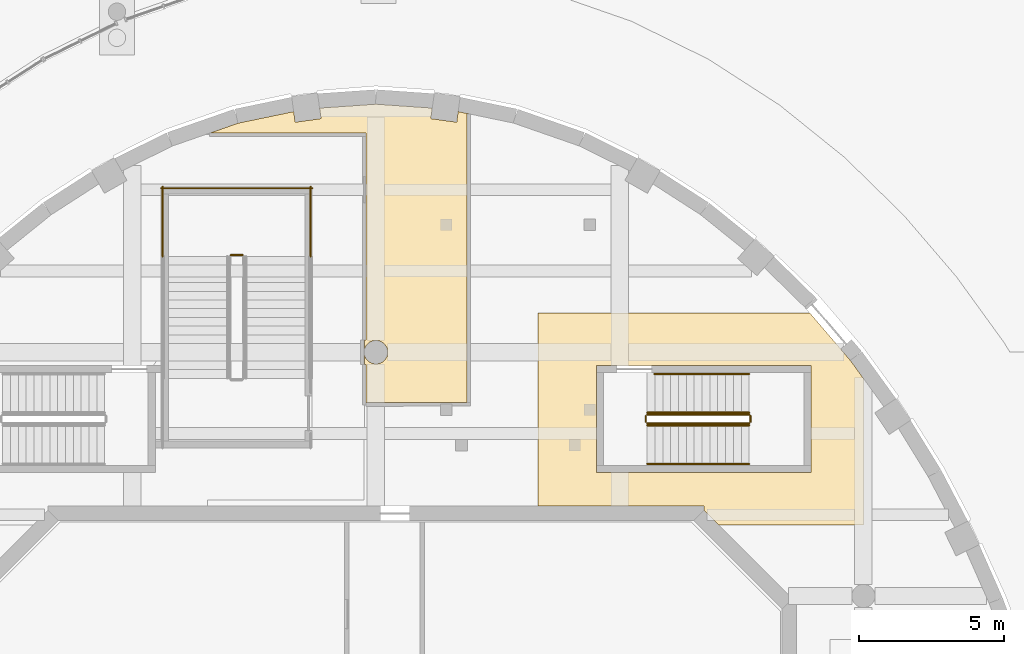
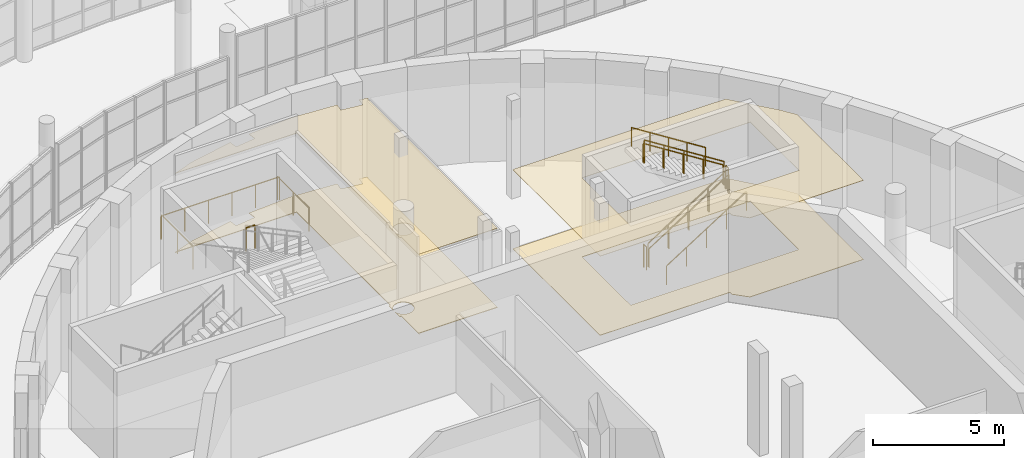
# One storey, part 102 of 110: 12 railings, 4 coverings.
"""IFC4 building model written with IfcOpenShell, lengths in metres."""

from ifc_helpers import new_model, si_unit, direction, frame, origin, origin_2d, place, context, subcontext, project, spatial, polyline, circle, outline, extrude, material, layer, layer_set, type_object, element, save


model = new_model("IFC4")

# Units and contexts
model_context = context("Model", 3, precision=1e-05, world=origin(), true_north=direction((0.0, 1.0)))
body_context = subcontext(model_context, "Body", "Model", "MODEL_VIEW")
ifc_project = project(units=[si_unit("LENGTHUNIT", "METRE"), si_unit("AREAUNIT", "SQUARE_METRE"), si_unit("VOLUMEUNIT", "CUBIC_METRE"), si_unit("PLANEANGLEUNIT", "RADIAN"), si_unit("MASSUNIT", "GRAM", prefix="KILO")], contexts=[model_context])

# Site, building, storey
site_placement = place(None, origin())
site = spatial("IfcSite", under=ifc_project, at=site_placement, CompositionType="ELEMENT")
building_placement = place(site_placement, origin())
building = spatial("IfcBuilding", under=site, at=building_placement, Name="Larchfold Concert Hall", CompositionType="ELEMENT")
storey_placement = place(building_placement, origin())
storey = spatial("IfcBuildingStorey", under=building, at=storey_placement, Name="L00", CompositionType="ELEMENT", Elevation=0.0)

# Coverings
ifc_material_1 = material(Name="Mineral fibre ceiling tile")
ifc_layer_1 = layer(ifc_material_1, 0.02001953125)
ifc_layer_set_1 = layer_set([ifc_layer_1], Name="Mineral fibre ceiling tile")
covering_type_1 = type_object("IfcCoveringType", Name="Ceiling mineral fibre tile 20", PredefinedType="CEILING", material=ifc_layer_set_1)
covering_1_placement = place(storey_placement, frame((0.0, 0.0, 3.68017578125)))
element("IfcCovering", 1, at=covering_1_placement, inside=storey, type_object=covering_type_1, Name="Ceiling Undercroft Escape Corridor 07", PredefinedType="CEILING", context=body_context, shape_type="SweptSolid", body=[
    extrude(outline(polyline([(57.55322265625, 111.150146484375), (48.18798828125, 111.14990234375), (48.193359375, 104.5), (53.89990234375, 104.5), (53.89990234375, 104.353759765625), (54.40380859375, 103.849853515625), (59.400146484375, 103.849853515625), (59.400146484375, 108.898681640625), (58.953857421875, 109.514892578125), (57.55322265625, 111.150146484375)]), holes=[polyline([(57.60009765625, 105.64990234375), (50.199951171875, 105.64990234375), (50.199951171875, 109.35009765625), (57.60009765625, 109.35009765625), (57.60009765625, 105.64990234375)])]), origin(), (0.0, 0.0, 1.0), 0.02001953125),
])
covering_2_placement = place(storey_placement, frame((0.0, 0.0, 3.68017578125)))
element("IfcCovering", 2, at=covering_2_placement, inside=storey, type_object=covering_type_1, Name="Ceiling Public Toilets 02", PredefinedType="CEILING", context=body_context, shape_type="SweptSolid", body=[
    extrude(outline(polyline([(37.85888671875, 117.697509765625), (36.903076171875, 117.360595703125), (42.262451171875, 117.362548828125), (42.262451171875, 110.219970703125), (42.199951171875, 110.219970703125), (42.199951171875, 109.86474609375), (42.207763671875, 109.905029296875), (42.22509765625, 109.95556640625), (42.27783203125, 110.047119140625), (42.352783203125, 110.1220703125), (42.397216796875, 110.151611328125), (42.44482421875, 110.17529296875), (42.546875, 110.202392578125), (42.600341796875, 110.2060546875), (42.705078125, 110.1923828125), (42.755615234375, 110.175048828125), (42.84716796875, 110.122314453125), (42.922119140625, 110.04736328125), (42.95166015625, 110.0029296875), (42.975341796875, 109.955322265625), (43.002685546875, 109.85302734375), (43.002685546875, 109.747314453125), (42.992431640625, 109.695068359375), (42.97509765625, 109.64453125), (42.92236328125, 109.552978515625), (42.847412109375, 109.47802734375), (42.802978515625, 109.448486328125), (42.75537109375, 109.4248046875), (42.6533203125, 109.397705078125), (42.599853515625, 109.39404296875), (42.4951171875, 109.40771484375), (42.444580078125, 109.425048828125), (42.35302734375, 109.477783203125), (42.278076171875, 109.552734375), (42.24853515625, 109.59716796875), (42.224853515625, 109.644775390625), (42.199951171875, 109.73828125), (42.199951171875, 109.380126953125), (42.262451171875, 109.380126953125), (42.262451171875, 108.0), (42.264892578125, 108.0625), (45.735595703125, 108.06640625), (45.737548828125, 118.007080078125), (45.799560546875, 118.007080078125), (45.799560546875, 118.017333984375), (45.433837890625, 118.093017578125), (45.383544921875, 117.7275390625), (44.491943359375, 117.8505859375), (44.542236328125, 118.215576171875), (42.60009765625, 118.349609375), (40.657958984375, 118.215576171875), (40.708251953125, 117.8505859375), (39.816650390625, 117.7275390625), (39.766357421875, 118.093017578125), (37.85888671875, 117.697509765625)])), origin(), (0.0, 0.0, 1.0), 0.02001953125),
])
ifc_material_2 = material(Name="Ceramic tile")
ifc_layer_2 = layer(ifc_material_2, 0.030029296875)
ifc_layer_set_2 = layer_set([ifc_layer_2], Name="Ceramic tile")
covering_type_2 = type_object("IfcCoveringType", Name="Floor finish ceramic tile 30", PredefinedType="FLOORING", material=ifc_layer_set_2)
covering_3_placement = place(storey_placement, origin())
element("IfcCovering", 3, at=covering_3_placement, inside=storey, type_object=covering_type_2, Name="Floor finish Public Toilets 02", PredefinedType="FLOORING", context=body_context, shape_type="SweptSolid", body=[
    extrude(outline(polyline([(37.85888671875, 117.697509765625), (36.903076171875, 117.360595703125), (42.262451171875, 117.362548828125), (42.262451171875, 110.219970703125), (42.199951171875, 110.219970703125), (42.199951171875, 109.86474609375), (42.207763671875, 109.905029296875), (42.22509765625, 109.95556640625), (42.27783203125, 110.047119140625), (42.352783203125, 110.1220703125), (42.397216796875, 110.151611328125), (42.44482421875, 110.17529296875), (42.546875, 110.202392578125), (42.600341796875, 110.2060546875), (42.705078125, 110.1923828125), (42.755615234375, 110.175048828125), (42.84716796875, 110.122314453125), (42.922119140625, 110.04736328125), (42.95166015625, 110.0029296875), (42.975341796875, 109.955322265625), (43.002685546875, 109.85302734375), (43.002685546875, 109.747314453125), (42.992431640625, 109.695068359375), (42.97509765625, 109.64453125), (42.92236328125, 109.552978515625), (42.847412109375, 109.47802734375), (42.802978515625, 109.448486328125), (42.75537109375, 109.4248046875), (42.6533203125, 109.397705078125), (42.599853515625, 109.39404296875), (42.4951171875, 109.40771484375), (42.444580078125, 109.425048828125), (42.35302734375, 109.477783203125), (42.278076171875, 109.552734375), (42.24853515625, 109.59716796875), (42.224853515625, 109.644775390625), (42.199951171875, 109.73828125), (42.199951171875, 109.380126953125), (42.262451171875, 109.380126953125), (42.262451171875, 108.0), (42.264892578125, 108.0625), (45.735595703125, 108.06640625), (45.737548828125, 118.007080078125), (45.799560546875, 118.007080078125), (45.799560546875, 118.017333984375), (45.433837890625, 118.093017578125), (45.383544921875, 117.7275390625), (44.491943359375, 117.8505859375), (44.542236328125, 118.215576171875), (42.60009765625, 118.349609375), (40.657958984375, 118.215576171875), (40.708251953125, 117.8505859375), (39.816650390625, 117.7275390625), (39.766357421875, 118.093017578125), (37.85888671875, 117.697509765625)])), origin(), (0.0, 0.0, 1.0), 0.030029296875),
])
ifc_material_3 = material(Name="Linoleum sheet")
ifc_layer_3 = layer(ifc_material_3, 0.02001953125)
ifc_layer_set_3 = layer_set([ifc_layer_3], Name="Linoleum sheet")
covering_type_3 = type_object("IfcCoveringType", Name="Floor finish vinyl 20", PredefinedType="FLOORING", material=ifc_layer_set_3)
covering_4_placement = place(storey_placement, origin())
element("IfcCovering", 4, at=covering_4_placement, inside=storey, type_object=covering_type_3, Name="Floor finish Undercroft Escape Corridor 07", PredefinedType="FLOORING", context=body_context, shape_type="SweptSolid", body=[
    extrude(outline(polyline([(57.55322265625, 111.150146484375), (48.18798828125, 111.14990234375), (48.193359375, 104.5), (53.89990234375, 104.5), (53.89990234375, 104.353759765625), (54.40380859375, 103.849853515625), (59.400146484375, 103.849853515625), (59.400146484375, 108.898681640625), (58.953857421875, 109.514892578125), (57.55322265625, 111.150146484375)]), holes=[polyline([(57.60009765625, 105.64990234375), (50.199951171875, 105.64990234375), (50.199951171875, 109.35009765625), (57.60009765625, 109.35009765625), (57.60009765625, 105.64990234375)])]), origin(), (0.0, 0.0, 1.0), 0.02001953125),
])

# Railings
ifc_material_4 = material(Name="Stainless steel balustrade", Category="steel")
railing_type_1 = type_object("IfcRailingType", Name="Stair guard 1100", PredefinedType="GUARDRAIL", material=ifc_material_4)
railing_1_placement = place(storey_placement, frame((51.949951171875, 107.349853515625, 0.17138671875)))
element("IfcRailing", 5, at=railing_1_placement, inside=storey, type_object=railing_type_1, Name="Guard GR0005", PredefinedType="GUARDRAIL", context=body_context, shape_type="SweptSolid", body=[
    extrude(circle(Radius=0.02392578125, at=origin_2d()), frame((0.0, 0.0, 1.076171875), z_axis=(0.844219563411, 0.0, 0.53599750816), x_axis=(0.0, 1.0, 0.0)), (0.0, 0.0, 1.0), 4.15771484375),
    extrude(circle(Radius=0.02099609375, at=origin_2d()), origin(), (0.0, 0.0, 1.0), 1.052001953125),
    extrude(circle(Radius=0.02099609375, at=origin_2d()), frame((0.87744140625, 0.0, 0.55712890625)), (0.0, 0.0, 1.0), 1.052001953125),
    extrude(circle(Radius=0.02099609375, at=origin_2d()), frame((1.7548828125, 0.0, 1.1142578125)), (0.0, 0.0, 1.0), 1.052001953125),
    extrude(circle(Radius=0.02099609375, at=origin_2d()), frame((2.632568359375, 0.0, 1.67138671875)), (0.0, 0.0, 1.0), 1.052001953125),
    extrude(circle(Radius=0.02099609375, at=origin_2d()), frame((3.510009765625, 0.0, 2.228515625)), (0.0, 0.0, 1.0), 1.052001953125),
])
railing_2_placement = place(storey_placement, frame((55.510009765625, 107.39990234375, 2.39990234375)))
element("IfcRailing", 6, at=railing_2_placement, inside=storey, type_object=railing_type_1, Name="Guard GR0006", PredefinedType="GUARDRAIL", context=body_context, shape_type="SweptSolid", body=[
    extrude(circle(Radius=0.02392578125, at=origin_2d()), frame((0.0, 0.0, 1.076171875), z_axis=(0.0, 1.0, 0.0), x_axis=(-1.0, 0.0, 0.0)), (0.0, 0.0, 1.0), 0.199951171875),
    extrude(circle(Radius=0.02099609375, at=origin_2d()), origin(), (0.0, 0.0, 1.0), 1.052001953125),
    extrude(circle(Radius=0.02099609375, at=origin_2d()), frame((0.0, 0.199951171875, 0.0)), (0.0, 0.0, 1.0), 1.052001953125),
])
railing_3_placement = place(storey_placement, frame((55.4599609375, 107.64990234375, 2.571533203125)))
element("IfcRailing", 7, at=railing_3_placement, inside=storey, type_object=railing_type_1, Name="Guard GR0007", PredefinedType="GUARDRAIL", context=body_context, shape_type="SweptSolid", body=[
    extrude(circle(Radius=0.02392578125, at=origin_2d()), frame((0.0, 0.0, 1.076171875), z_axis=(-0.844219563411, 0.0, 0.53599750816), x_axis=(0.0, -1.0, 0.0)), (0.0, 0.0, 1.0), 4.15771484375),
    extrude(circle(Radius=0.02099609375, at=origin_2d()), origin(), (0.0, 0.0, 1.0), 1.052001953125),
    extrude(circle(Radius=0.02099609375, at=origin_2d()), frame((-0.87744140625, 0.0, 0.55712890625)), (0.0, 0.0, 1.0), 1.052001953125),
    extrude(circle(Radius=0.02099609375, at=origin_2d()), frame((-1.7548828125, 0.0, 1.1142578125)), (0.0, 0.0, 1.0), 1.052001953125),
    extrude(circle(Radius=0.02099609375, at=origin_2d()), frame((-2.632568359375, 0.0, 1.67138671875)), (0.0, 0.0, 1.0), 1.052001953125),
    extrude(circle(Radius=0.02099609375, at=origin_2d()), frame((-3.510009765625, 0.0, 2.228515625)), (0.0, 0.0, 1.0), 1.052001953125),
])
railing_4_placement = place(storey_placement, frame((51.89990234375, 107.39990234375, 0.0)))
element("IfcRailing", 8, at=railing_4_placement, inside=storey, type_object=railing_type_1, Name="Guard GR0008", PredefinedType="GUARDRAIL", context=body_context, shape_type="SweptSolid", body=[
    extrude(circle(Radius=0.02392578125, at=origin_2d()), frame((0.0, 0.0, 1.076171875), z_axis=(0.0, 1.0, 0.0), x_axis=(-1.0, 0.0, 0.0)), (0.0, 0.0, 1.0), 0.199951171875),
    extrude(circle(Radius=0.02099609375, at=origin_2d()), origin(), (0.0, 0.0, 1.0), 1.052001953125),
    extrude(circle(Radius=0.02099609375, at=origin_2d()), frame((0.0, 0.199951171875, 0.0)), (0.0, 0.0, 1.0), 1.052001953125),
])
railing_5_placement = place(storey_placement, frame((38.0, 113.14990234375, 2.39990234375)))
element("IfcRailing", 9, at=railing_5_placement, inside=storey, type_object=railing_type_1, Name="Guard GR0110", PredefinedType="GUARDRAIL", context=body_context, shape_type="SweptSolid", body=[
    extrude(circle(Radius=0.02392578125, at=origin_2d()), frame((0.0, 0.0, 1.076171875), z_axis=(-1.0, 0.0, 0.0), x_axis=(0.0, -1.0, 0.0)), (0.0, 0.0, 1.0), 0.400146484375),
    extrude(circle(Radius=0.02099609375, at=origin_2d()), origin(), (0.0, 0.0, 1.0), 1.052001953125),
    extrude(circle(Radius=0.02099609375, at=origin_2d()), frame((-0.400146484375, 0.0, 0.0)), (0.0, 0.0, 1.0), 1.052001953125),
])
for number, where, name in (
    (10, (40.349853515625, 113.10009765625, 2.39990234375), "Guard GR0111"),
    (11, (35.25, 113.10009765625, 2.39990234375), "Guard GR0112"),
):
    element("IfcRailing", number, at=place(storey_placement, frame(where)), inside=storey, type_object=railing_type_1, Name=name, PredefinedType="GUARDRAIL", context=body_context, shape_type="SweptSolid", body=[
        extrude(circle(Radius=0.02392578125, at=origin_2d()), frame((0.0, 0.0, 1.076171875), z_axis=(0.0, 1.0, 0.0), x_axis=(-1.0, 0.0, 0.0)), (0.0, 0.0, 1.0), 2.39990234375),
        extrude(circle(Radius=0.02099609375, at=origin_2d()), origin(), (0.0, 0.0, 1.0), 1.052001953125),
        extrude(circle(Radius=0.02099609375, at=origin_2d()), frame((0.0, 1.199951171875, 0.0)), (0.0, 0.0, 1.0), 1.052001953125),
        extrude(circle(Radius=0.02099609375, at=origin_2d()), frame((0.0, 2.39990234375, 0.0)), (0.0, 0.0, 1.0), 1.052001953125),
    ])
railing_6_placement = place(storey_placement, frame((40.39990234375, 115.449951171875, 2.39990234375)))
element("IfcRailing", 12, at=railing_6_placement, inside=storey, type_object=railing_type_1, Name="Guard GR0113", PredefinedType="GUARDRAIL", context=body_context, shape_type="SweptSolid", body=[
    extrude(circle(Radius=0.02392578125, at=origin_2d()), frame((0.0, 0.0, 1.076171875), z_axis=(-1.0, 0.0, 0.0), x_axis=(0.0, -1.0, 0.0)), (0.0, 0.0, 1.0), 5.199951171875),
    extrude(circle(Radius=0.02099609375, at=origin_2d()), origin(), (0.0, 0.0, 1.0), 1.052001953125),
    extrude(circle(Radius=0.02099609375, at=origin_2d()), frame((-1.0400390625, 0.0, 0.0)), (0.0, 0.0, 1.0), 1.052001953125),
    extrude(circle(Radius=0.02099609375, at=origin_2d()), frame((-2.080078125, 0.0, 0.0)), (0.0, 0.0, 1.0), 1.052001953125),
    extrude(circle(Radius=0.02099609375, at=origin_2d()), frame((-3.119873046875, 0.0, 0.0)), (0.0, 0.0, 1.0), 1.052001953125),
    extrude(circle(Radius=0.02099609375, at=origin_2d()), frame((-4.159912109375, 0.0, 0.0)), (0.0, 0.0, 1.0), 1.052001953125),
    extrude(circle(Radius=0.02099609375, at=origin_2d()), frame((-5.199951171875, 0.0, 0.0)), (0.0, 0.0, 1.0), 1.052001953125),
])
ifc_material_5 = material(Name="Stainless steel handrail", Category="steel")
railing_type_2 = type_object("IfcRailingType", Name="Stair handrail 900", PredefinedType="HANDRAIL", material=ifc_material_5)
railing_7_placement = place(storey_placement, frame((51.949951171875, 105.949951171875, 0.17138671875)))
element("IfcRailing", 13, at=railing_7_placement, inside=storey, type_object=railing_type_2, Name="Handrail HR0005", PredefinedType="HANDRAIL", context=body_context, shape_type="SweptSolid", body=[
    extrude(circle(Radius=0.02392578125, at=origin_2d()), frame((0.0, 0.0, 0.8759765625), z_axis=(0.844219563411, 0.0, 0.53599750816), x_axis=(0.0, 1.0, 0.0)), (0.0, 0.0, 1.0), 4.15771484375),
    extrude(circle(Radius=0.02099609375, at=origin_2d()), origin(), (0.0, 0.0, 1.0), 0.851806640625),
    extrude(circle(Radius=0.02099609375, at=origin_2d()), frame((0.87744140625, 0.0, 0.55712890625)), (0.0, 0.0, 1.0), 0.851806640625),
    extrude(circle(Radius=0.02099609375, at=origin_2d()), frame((1.7548828125, 0.0, 1.1142578125)), (0.0, 0.0, 1.0), 0.851806640625),
    extrude(circle(Radius=0.02099609375, at=origin_2d()), frame((2.632568359375, 0.0, 1.67138671875)), (0.0, 0.0, 1.0), 0.851806640625),
    extrude(circle(Radius=0.02099609375, at=origin_2d()), frame((3.510009765625, 0.0, 2.228515625)), (0.0, 0.0, 1.0), 0.851806640625),
])
railing_8_placement = place(storey_placement, frame((55.4599609375, 109.0498046875, 2.571533203125)))
element("IfcRailing", 14, at=railing_8_placement, inside=storey, type_object=railing_type_2, Name="Handrail HR0006", PredefinedType="HANDRAIL", context=body_context, shape_type="SweptSolid", body=[
    extrude(circle(Radius=0.02392578125, at=origin_2d()), frame((0.0, 0.0, 0.8759765625), z_axis=(-0.844236432064, 0.0, 0.535970938369), x_axis=(0.0, -1.0, 0.0)), (0.0, 0.0, 1.0), 3.86083984375),
    extrude(circle(Radius=0.02099609375, at=origin_2d()), origin(), (0.0, 0.0, 1.0), 0.851806640625),
    extrude(circle(Radius=0.02099609375, at=origin_2d()), frame((-0.81494140625, 0.0, 0.517333984375)), (0.0, 0.0, 1.0), 0.851806640625),
    extrude(circle(Radius=0.02099609375, at=origin_2d()), frame((-1.6298828125, 0.0, 1.03466796875)), (0.0, 0.0, 1.0), 0.851806640625),
    extrude(circle(Radius=0.02099609375, at=origin_2d()), frame((-2.444580078125, 0.0, 1.552001953125)), (0.0, 0.0, 1.0), 0.851806640625),
    extrude(circle(Radius=0.02099609375, at=origin_2d()), frame((-3.259521484375, 0.0, 2.0693359375)), (0.0, 0.0, 1.0), 0.851806640625),
])
railing_9_placement = place(storey_placement, frame((51.949951171875, 107.27978515625, 0.17138671875)))
element("IfcRailing", 15, at=railing_9_placement, inside=storey, type_object=railing_type_2, Name="Handrail HR0007", PredefinedType="HANDRAIL", context=body_context, shape_type="SweptSolid", body=[
    extrude(circle(Radius=0.02392578125, at=origin_2d()), frame((0.0, 0.0, 0.8759765625), z_axis=(0.844219563411, 0.0, 0.53599750816), x_axis=(0.0, 1.0, 0.0)), (0.0, 0.0, 1.0), 4.15771484375),
    extrude(circle(Radius=0.02099609375, at=origin_2d()), origin(), (0.0, 0.0, 1.0), 0.851806640625),
    extrude(circle(Radius=0.02099609375, at=origin_2d()), frame((0.87744140625, 0.0, 0.55712890625)), (0.0, 0.0, 1.0), 0.851806640625),
    extrude(circle(Radius=0.02099609375, at=origin_2d()), frame((1.7548828125, 0.0, 1.1142578125)), (0.0, 0.0, 1.0), 0.851806640625),
    extrude(circle(Radius=0.02099609375, at=origin_2d()), frame((2.632568359375, 0.0, 1.67138671875)), (0.0, 0.0, 1.0), 0.851806640625),
    extrude(circle(Radius=0.02099609375, at=origin_2d()), frame((3.510009765625, 0.0, 2.228515625)), (0.0, 0.0, 1.0), 0.851806640625),
])
railing_10_placement = place(storey_placement, frame((55.4599609375, 107.719970703125, 2.571533203125)))
element("IfcRailing", 16, at=railing_10_placement, inside=storey, type_object=railing_type_2, Name="Handrail HR0008", PredefinedType="HANDRAIL", context=body_context, shape_type="SweptSolid", body=[
    extrude(circle(Radius=0.02392578125, at=origin_2d()), frame((0.0, 0.0, 0.8759765625), z_axis=(-0.844219563411, 0.0, 0.53599750816), x_axis=(0.0, -1.0, 0.0)), (0.0, 0.0, 1.0), 4.15771484375),
    extrude(circle(Radius=0.02099609375, at=origin_2d()), origin(), (0.0, 0.0, 1.0), 0.851806640625),
    extrude(circle(Radius=0.02099609375, at=origin_2d()), frame((-0.87744140625, 0.0, 0.55712890625)), (0.0, 0.0, 1.0), 0.851806640625),
    extrude(circle(Radius=0.02099609375, at=origin_2d()), frame((-1.7548828125, 0.0, 1.1142578125)), (0.0, 0.0, 1.0), 0.851806640625),
    extrude(circle(Radius=0.02099609375, at=origin_2d()), frame((-2.632568359375, 0.0, 1.67138671875)), (0.0, 0.0, 1.0), 0.851806640625),
    extrude(circle(Radius=0.02099609375, at=origin_2d()), frame((-3.510009765625, 0.0, 2.228515625)), (0.0, 0.0, 1.0), 0.851806640625),
])

save(model, "model.ifc")
